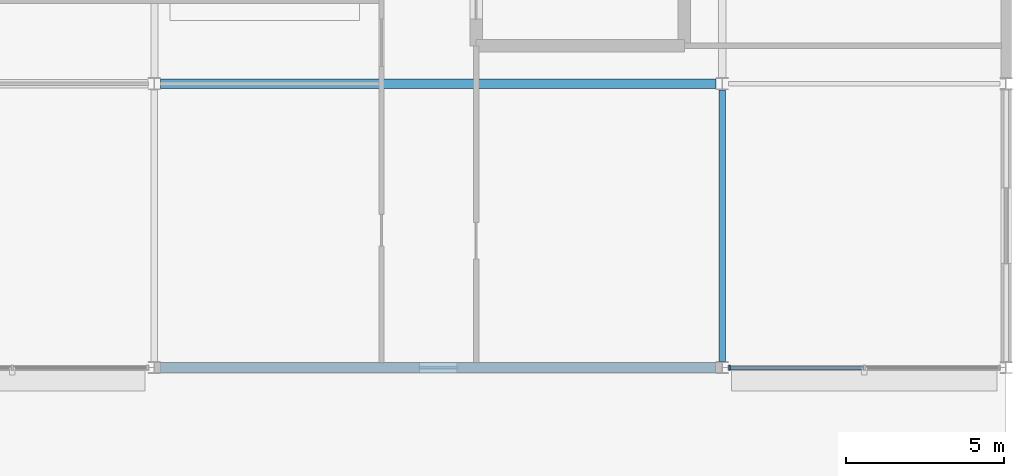
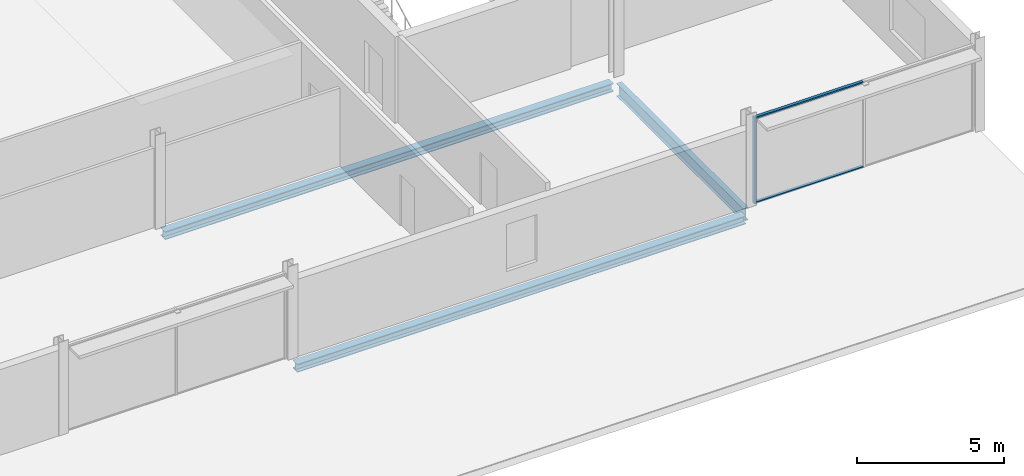
# One storey, part 46 of 105: 3 beams, 3 members, 1 element without a shape of its own.
"""IFC4 building model written with IfcOpenShell, lengths in metres."""

from ifc_helpers import new_model, si_unit, direction, frame, origin, origin_2d, place, context, subcontext, project, spatial, rectangle, i_section, extrude, material, layer, layer_set, material_profile, profile_set, type_object, element, aggregate, save


model = new_model("IFC4")

# Units and contexts
model_context = context("Model", 3, precision=1e-05, world=origin(), true_north=direction((0.0, 1.0)))
body_context = subcontext(model_context, "Body", "Model", "MODEL_VIEW")
ifc_project = project(units=[si_unit("LENGTHUNIT", "METRE"), si_unit("AREAUNIT", "SQUARE_METRE"), si_unit("VOLUMEUNIT", "CUBIC_METRE"), si_unit("PLANEANGLEUNIT", "RADIAN"), si_unit("MASSUNIT", "GRAM", prefix="KILO")], contexts=[model_context])

# Site, building, storey
site_placement = place(None, origin())
site = spatial("IfcSite", under=ifc_project, at=site_placement, CompositionType="ELEMENT")
building_placement = place(site_placement, origin())
building = spatial("IfcBuilding", under=site, at=building_placement, Name="Kisiwana Market Hall", CompositionType="ELEMENT")
storey_placement = place(building_placement, frame((0.0, 0.0, 21.60009765625)))
storey = spatial("IfcBuildingStorey", under=building, at=storey_placement, Name="L04", CompositionType="ELEMENT", Elevation=21.60009765625)

# Beams
ifc_material_1 = material(Name="Steel S355", Category="steel")
ifc_material_profile_1 = material_profile(ifc_material_1, i_section(OverallWidth=0.209228515625, OverallDepth=0.533203125, WebThickness=0.010009765625, FlangeThickness=0.015625, at=origin_2d()), Name="UB 533x210x92")
ifc_profile_set_1 = profile_set([ifc_material_profile_1], Name="Steel S355")
beam_type_1 = type_object("IfcBeamType", Name="BM-GIRD-UB533", PredefinedType="BEAM", material=ifc_profile_set_1)
beam_1_placement = place(storey_placement, frame((189.0, 9.19287109375, -0.51171875), z_axis=(0.0, 1.0, 0.0), x_axis=(-1.0, 0.0, 0.0)))
element("IfcBeam", 1, at=beam_1_placement, inside=storey, type_object=beam_type_1, Name="Primary girder B-1381", PredefinedType="BEAM", context=body_context, shape_type="SweptSolid", body=[
    extrude(i_section(OverallWidth=0.209228515625, OverallDepth=0.533203125, WebThickness=0.010009765625, FlangeThickness=0.015625, at=origin_2d()), origin(), (0.0, 0.0, 1.0), 8.60302734375),
])
ifc_material_2 = material(Name="Steel S355", Category="steel")
ifc_material_profile_2 = material_profile(ifc_material_2, i_section(OverallWidth=0.314453125, OverallDepth=0.33984375, WebThickness=0.01904296875, FlangeThickness=0.031494140625, at=origin_2d()), Name="UC 305x305x198")
ifc_profile_set_2 = profile_set([ifc_material_profile_2], Name="Steel S355")
beam_type_2 = type_object("IfcBeamType", Name="BM-SKYBR-CHORD", PredefinedType="BEAM", material=ifc_profile_set_2)
beam_2_placement = place(storey_placement, frame((171.195556640625, 9.0, -0.462158203125), z_axis=(1.0, 0.0, 0.0), x_axis=(0.0, 1.0, 0.0)))
element("IfcBeam", 2, at=beam_2_placement, inside=storey, type_object=beam_type_2, Name="Floor beam B-1421", PredefinedType="BEAM", context=body_context, shape_type="SweptSolid", body=[
    extrude(i_section(OverallWidth=0.314453125, OverallDepth=0.33984375, WebThickness=0.01904296875, FlangeThickness=0.031494140625, at=origin_2d()), origin(), (0.0, 0.0, 1.0), 17.60888671875),
])
beam_3_placement = place(storey_placement, frame((171.198974609375, 18.0, -0.4150390625), z_axis=(1.0, 0.0, 0.0), x_axis=(0.0, 1.0, 0.0)))
element("IfcBeam", 3, at=beam_3_placement, inside=storey, type_object=beam_type_2, Name="Floor beam B-1435", PredefinedType="BEAM", context=body_context, shape_type="SweptSolid", body=[
    extrude(i_section(OverallWidth=0.314453125, OverallDepth=0.33984375, WebThickness=0.01904296875, FlangeThickness=0.031494140625, at=origin_2d()), origin(), (0.0, 0.0, 1.0), 17.60205078125),
])

# Curtain wall, members
ifc_material_3 = material(Name="Double-glazed solar-control low-E IGU", Category="glass")
ifc_layer = layer(ifc_material_3, 0.159912109375)
ifc_layer_set = layer_set([ifc_layer], Name="CW-ZNA-EW-8200")
curtain_wall_type = type_object("IfcCurtainWallType", Name="CW-ZNA-EW-8200", PredefinedType="USERDEFINED", material=ifc_layer_set)
curtain_wall_placement = place(storey_placement, origin())
curtain_wall = element("IfcCurtainWall", 4, at=curtain_wall_placement, inside=storey, type_object=curtain_wall_type, Name="Unitised curtain wall CW-091 (L04)", ObjectType="UNITISED CURTAIN WALL", PredefinedType="USERDEFINED")
ifc_material_4 = material(Name="Aluminium alloy 6063-T6", Category="aluminium")
ifc_material_profile_3 = material_profile(ifc_material_4, rectangle(XDim=0.06005859375, YDim=0.159912109375, at=origin_2d()), Name="ALU MULLION 60x160")
ifc_profile_set_3 = profile_set([ifc_material_profile_3], Name="Aluminium alloy 6063-T6")
member_type_1 = type_object("IfcMemberType", Name="CW-MULL-60x160", PredefinedType="MULLION", material=ifc_profile_set_3)
member_1_placement = place(storey_placement, frame((189.227294921875, 9.0, 0.0), z_axis=(0.0, 0.0, 1.0), x_axis=(1.0, 0.0, 0.0)))
member_1 = element("IfcMember", 5, at=member_1_placement, type_object=member_type_1, Name="CW-091 mullion 1", PredefinedType="MULLION", context=body_context, shape_type="SweptSolid", body=[
    extrude(rectangle(XDim=0.06005859375, YDim=0.159912109375, at=origin_2d()), origin(), (0.0, 0.0, 1.0), 3.5849609375),
])
ifc_material_5 = material(Name="Aluminium alloy 6063-T6", Category="aluminium")
ifc_material_profile_4 = material_profile(ifc_material_5, rectangle(XDim=0.1201171875, YDim=0.06005859375, at=origin_2d()), Name="ALU TRANSOM 60x120")
ifc_profile_set_4 = profile_set([ifc_material_profile_4], Name="Aluminium alloy 6063-T6")
member_type_2 = type_object("IfcMemberType", Name="CW-TRAN-60x120", PredefinedType="USERDEFINED", material=ifc_profile_set_4)
member_2_placement = place(storey_placement, frame((189.25732421875, 9.0, 0.02978515625), z_axis=(1.0, 0.0, 0.0), x_axis=(0.0, 1.0, 0.0)))
member_2 = element("IfcMember", 6, at=member_2_placement, type_object=member_type_2, Name="CW-091 transom 1.1", ObjectType="TRANSOM", PredefinedType="USERDEFINED", context=body_context, shape_type="SweptSolid", body=[
    extrude(rectangle(XDim=0.1201171875, YDim=0.06005859375, at=origin_2d()), origin(), (0.0, 0.0, 1.0), 4.21826171875),
])
member_3_placement = place(storey_placement, frame((189.25732421875, 9.0, 3.554931640625), z_axis=(1.0, 0.0, 0.0), x_axis=(0.0, 1.0, 0.0)))
member_3 = element("IfcMember", 7, at=member_3_placement, type_object=member_type_2, Name="CW-091 transom 1.2", ObjectType="TRANSOM", PredefinedType="USERDEFINED", context=body_context, shape_type="SweptSolid", body=[
    extrude(rectangle(XDim=0.1201171875, YDim=0.06005859375, at=origin_2d()), origin(), (0.0, 0.0, 1.0), 4.21826171875),
])
aggregate(curtain_wall, [member_1, member_2, member_3])

save(model, "model.ifc")
